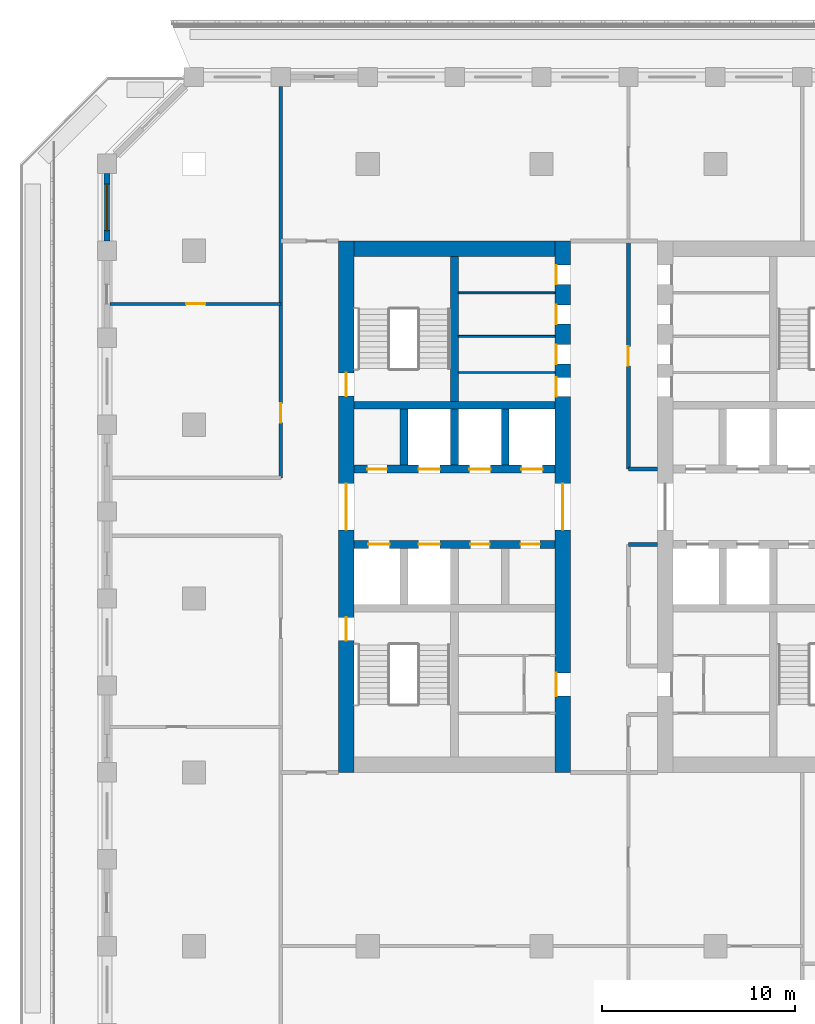
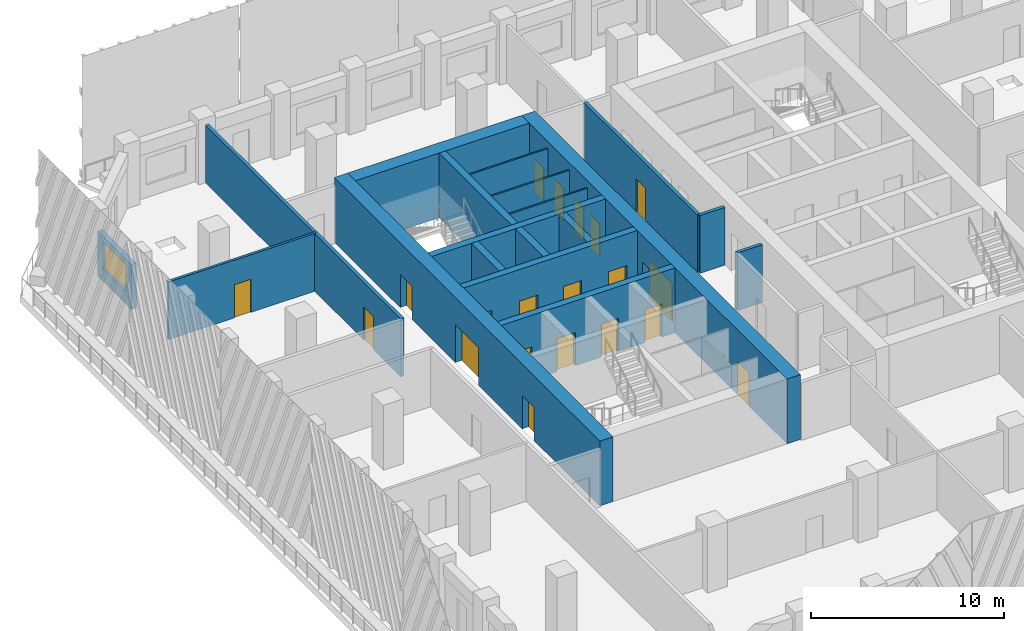
# One storey, part 5 of 16: 20 doors, 19 walls, 1 window, 21 openings.
"""IFC4 building model written with IfcOpenShell, lengths in metres."""

from ifc_helpers import new_model, si_unit, direction, frame, frame_2d, origin, place, context, subcontext, project, spatial, rectangle, extrude, material, layer, layer_set, type_object, element, fill, save


model = new_model("IFC4")

# Units and contexts
model_context = context("Model", 3, precision=1e-05, world=origin(), true_north=direction((0.0, 1.0)))
body_context = subcontext(model_context, "Body", "Model", "MODEL_VIEW")
ifc_project = project(units=[si_unit("LENGTHUNIT", "METRE"), si_unit("AREAUNIT", "SQUARE_METRE"), si_unit("VOLUMEUNIT", "CUBIC_METRE"), si_unit("PLANEANGLEUNIT", "RADIAN"), si_unit("MASSUNIT", "GRAM", prefix="KILO")], contexts=[model_context])

# Site, building, storey
site_placement = place(None, origin())
site = spatial("IfcSite", under=ifc_project, at=site_placement, CompositionType="ELEMENT")
building_placement = place(site_placement, origin())
building = spatial("IfcBuilding", under=site, at=building_placement, Name="Corbel Stack Research Tower", CompositionType="ELEMENT")
storey_placement = place(building_placement, frame((0.0, 0.0, 191.5)))
storey = spatial("IfcBuildingStorey", under=building, at=storey_placement, Name="L43", CompositionType="ELEMENT", Elevation=191.5)

# Wall, openings, doors
ifc_material_1 = material(Name="Concrete C60/75", Category="concrete")
ifc_layer_1 = layer(ifc_material_1, 0.39990234375)
ifc_layer_set_1 = layer_set([ifc_layer_1], Name="Concrete C60/75")
wall_type_1 = type_object("IfcWallType", Name="CW-400-60", PredefinedType="SHEAR", material=ifc_layer_set_1)
wall_1_placement = place(storey_placement, frame((-9.699951171875, 2.800048828125, 0.0), z_axis=(0.0, 0.0, 1.0), x_axis=(1.0, 0.0, 0.0)))
wall_1 = element("IfcWall", 1, at=wall_1_placement, inside=storey, type_object=wall_type_1, Name="West core wall, lobby south L43", PredefinedType="SHEAR", context=body_context, shape_type="SweptSolid", body=[
    extrude(rectangle(XDim=10.39990234375, YDim=0.39990234375, at=frame_2d((5.199951171875, 0.0))), origin(), (0.0, 0.0, 1.0), 4.10009765625),
])
opening_1_placement = place(wall_1_placement, frame((0.737548828125, 0.0, 0.0)))
opening_1 = element("IfcOpeningElement", 2, at=opening_1_placement, cuts=wall_1, Name="Opening LD-FS1", PredefinedType="OPENING", context=body_context, shape_type="SweptSolid", body=[
    extrude(rectangle(XDim=1.10009765625, YDim=2.10009765625, at=frame_2d((0.550048828125, 1.050048828125))), frame((0.0, 0.2099609375, 0.0), z_axis=(0.0, -1.0, 0.0), x_axis=(1.0, 0.0, 0.0)), (0.0, 0.0, 1.0), 0.419921875),
])
opening_2_placement = place(wall_1_placement, frame((3.33740234375, 0.0, 0.0)))
opening_2 = element("IfcOpeningElement", 3, at=opening_2_placement, cuts=wall_1, Name="Opening LD-GL1", PredefinedType="OPENING", context=body_context, shape_type="SweptSolid", body=[
    extrude(rectangle(XDim=1.10009765625, YDim=2.10009765625, at=frame_2d((0.550048828125, 1.050048828125))), frame((0.0, 0.2099609375, 0.0), z_axis=(0.0, -1.0, 0.0), x_axis=(1.0, 0.0, 0.0)), (0.0, 0.0, 1.0), 0.419921875),
])
opening_3_placement = place(wall_1_placement, frame((6.012451171875, 0.0, 0.0)))
opening_3 = element("IfcOpeningElement", 4, at=opening_3_placement, cuts=wall_1, Name="Opening CR-W36-S3", PredefinedType="OPENING", context=body_context, shape_type="SweptSolid", body=[
    extrude(rectangle(XDim=1.0, YDim=2.10009765625, at=frame_2d((0.5, 1.050048828125))), frame((0.0, 0.2099609375, 0.0), z_axis=(0.0, -1.0, 0.0), x_axis=(1.0, 0.0, 0.0)), (0.0, 0.0, 1.0), 0.419921875),
])
opening_4_placement = place(wall_1_placement, frame((8.612548828125, 0.0, 0.0)))
opening_4 = element("IfcOpeningElement", 5, at=opening_4_placement, cuts=wall_1, Name="Opening CR-W36-S4", PredefinedType="OPENING", context=body_context, shape_type="SweptSolid", body=[
    extrude(rectangle(XDim=1.0, YDim=2.10009765625, at=frame_2d((0.5, 1.050048828125))), frame((0.0, 0.2099609375, 0.0), z_axis=(0.0, -1.0, 0.0), x_axis=(1.0, 0.0, 0.0)), (0.0, 0.0, 1.0), 0.419921875),
])
ifc_material_2 = material(Name="Stainless steel landing door", Category="steel")
door_type_1 = type_object("IfcDoorType", Name="Lift landing door 1100 x 2100", OperationType="DOUBLE_DOOR_SLIDING", PredefinedType="DOOR", material=ifc_material_2)
door_1_placement = place(opening_1_placement, origin())
door_1 = element("IfcDoor", 6, at=door_1_placement, inside=storey, type_object=door_type_1, Name="Landing door FS1", OperationType="DOUBLE_DOOR_SLIDING", OverallHeight=2.10009765625, OverallWidth=1.10009765625, PredefinedType="DOOR", context=body_context, shape_type="SweptSolid", body=[
    extrude(rectangle(XDim=1.10009765625, YDim=2.10009765625, at=frame_2d((0.550048828125, 1.050048828125))), frame((0.0, 0.02490234375, 0.0), z_axis=(0.0, -1.0, 0.0), x_axis=(1.0, 0.0, 0.0)), (0.0, 0.0, 1.0), 0.050048828125),
])
fill(opening_1, door_1)
door_2_placement = place(opening_2_placement, origin())
door_2 = element("IfcDoor", 7, at=door_2_placement, inside=storey, type_object=door_type_1, Name="Landing door GL1", OperationType="DOUBLE_DOOR_SLIDING", OverallHeight=2.10009765625, OverallWidth=1.10009765625, PredefinedType="DOOR", context=body_context, shape_type="SweptSolid", body=[
    extrude(rectangle(XDim=1.10009765625, YDim=2.10009765625, at=frame_2d((0.550048828125, 1.050048828125))), frame((0.0, 0.02490234375, 0.0), z_axis=(0.0, -1.0, 0.0), x_axis=(1.0, 0.0, 0.0)), (0.0, 0.0, 1.0), 0.050048828125),
])
fill(opening_2, door_2)
ifc_material_3 = material(Name="Painted steel door", Category="steel")
door_type_2 = type_object("IfcDoorType", Name="Service door 1000 x 2100 FD60 left hand", OperationType="SINGLE_SWING_LEFT", PredefinedType="DOOR", material=ifc_material_3)
door_3_placement = place(opening_3_placement, origin())
door_3 = element("IfcDoor", 8, at=door_3_placement, inside=storey, type_object=door_type_2, Name="Records store door W core", OperationType="SINGLE_SWING_LEFT", OverallHeight=2.10009765625, OverallWidth=1.0, PredefinedType="DOOR", context=body_context, shape_type="SweptSolid", body=[
    extrude(rectangle(XDim=1.0, YDim=2.10009765625, at=frame_2d((0.5, 1.050048828125))), frame((0.0, 0.02490234375, 0.0), z_axis=(0.0, -1.0, 0.0), x_axis=(1.0, 0.0, 0.0)), (0.0, 0.0, 1.0), 0.050048828125),
])
fill(opening_3, door_3)
ifc_material_4 = material(Name="Painted steel door", Category="steel")
door_type_3 = type_object("IfcDoorType", Name="Service door 1000 x 2100 FD60 right hand", OperationType="SINGLE_SWING_RIGHT", PredefinedType="DOOR", material=ifc_material_4)
door_4_placement = place(opening_4_placement, origin())
door_4 = element("IfcDoor", 9, at=door_4_placement, inside=storey, type_object=door_type_3, Name="Electrical room door W core", OperationType="SINGLE_SWING_RIGHT", OverallHeight=2.10009765625, OverallWidth=1.0, PredefinedType="DOOR", context=body_context, shape_type="SweptSolid", body=[
    extrude(rectangle(XDim=1.0, YDim=2.10009765625, at=frame_2d((0.5, 1.050048828125))), frame((0.0, 0.02490234375, 0.0), z_axis=(0.0, -1.0, 0.0), x_axis=(1.0, 0.0, 0.0)), (0.0, 0.0, 1.0), 0.050048828125),
])
fill(opening_4, door_4)

wall_2_placement = place(storey_placement, frame((-9.699951171875, 6.699951171875, 0.0), z_axis=(0.0, 0.0, 1.0), x_axis=(1.0, 0.0, 0.0)))
wall_2 = element("IfcWall", 10, at=wall_2_placement, inside=storey, type_object=wall_type_1, Name="West core wall, lobby north L43", PredefinedType="SHEAR", context=body_context, shape_type="SweptSolid", body=[
    extrude(rectangle(XDim=10.39990234375, YDim=0.39990234375, at=frame_2d((5.199951171875, 0.0))), origin(), (0.0, 0.0, 1.0), 4.10009765625),
])
opening_5_placement = place(wall_2_placement, frame((3.33740234375, 0.0, 0.0)))
opening_5 = element("IfcOpeningElement", 11, at=opening_5_placement, cuts=wall_2, Name="Opening LD-HR1", PredefinedType="OPENING", context=body_context, shape_type="SweptSolid", body=[
    extrude(rectangle(XDim=1.10009765625, YDim=2.10009765625, at=frame_2d((0.550048828125, 1.050048828125))), frame((0.0, 0.2099609375, 0.0), z_axis=(0.0, -1.0, 0.0), x_axis=(1.0, 0.0, 0.0)), (0.0, 0.0, 1.0), 0.419921875),
])
opening_6_placement = place(wall_2_placement, frame((5.96240234375, 0.0, 0.0)))
opening_6 = element("IfcOpeningElement", 12, at=opening_6_placement, cuts=wall_2, Name="Opening LD-HR2", PredefinedType="OPENING", context=body_context, shape_type="SweptSolid", body=[
    extrude(rectangle(XDim=1.10009765625, YDim=2.10009765625, at=frame_2d((0.550048828125, 1.050048828125))), frame((0.0, 0.2099609375, 0.0), z_axis=(0.0, -1.0, 0.0), x_axis=(1.0, 0.0, 0.0)), (0.0, 0.0, 1.0), 0.419921875),
])
opening_7_placement = place(wall_2_placement, frame((8.66259765625, 0.0, 0.0)))
opening_7 = element("IfcOpeningElement", 13, at=opening_7_placement, cuts=wall_2, Name="Opening LD-HR3", PredefinedType="OPENING", context=body_context, shape_type="SweptSolid", body=[
    extrude(rectangle(XDim=1.10009765625, YDim=2.10009765625, at=frame_2d((0.550048828125, 1.050048828125))), frame((0.0, 0.2099609375, 0.0), z_axis=(0.0, -1.0, 0.0), x_axis=(1.0, 0.0, 0.0)), (0.0, 0.0, 1.0), 0.419921875),
])
opening_8_placement = place(wall_2_placement, frame((0.6875, 0.0, 0.0)))
opening_8 = element("IfcOpeningElement", 14, at=opening_8_placement, cuts=wall_2, Name="Opening CR-W36-N1", PredefinedType="OPENING", context=body_context, shape_type="SweptSolid", body=[
    extrude(rectangle(XDim=1.0, YDim=2.10009765625, at=frame_2d((0.5, 1.050048828125))), frame((0.0, 0.2099609375, 0.0), z_axis=(0.0, -1.0, 0.0), x_axis=(1.0, 0.0, 0.0)), (0.0, 0.0, 1.0), 0.419921875),
])
door_5_placement = place(opening_5_placement, origin())
door_5 = element("IfcDoor", 15, at=door_5_placement, inside=storey, type_object=door_type_1, Name="Landing door HR1", OperationType="DOUBLE_DOOR_SLIDING", OverallHeight=2.10009765625, OverallWidth=1.10009765625, PredefinedType="DOOR", context=body_context, shape_type="SweptSolid", body=[
    extrude(rectangle(XDim=1.10009765625, YDim=2.10009765625, at=frame_2d((0.550048828125, 1.050048828125))), frame((0.0, 0.02490234375, 0.0), z_axis=(0.0, -1.0, 0.0), x_axis=(1.0, 0.0, 0.0)), (0.0, 0.0, 1.0), 0.050048828125),
])
fill(opening_5, door_5)
door_6_placement = place(opening_6_placement, origin())
door_6 = element("IfcDoor", 16, at=door_6_placement, inside=storey, type_object=door_type_1, Name="Landing door HR2", OperationType="DOUBLE_DOOR_SLIDING", OverallHeight=2.10009765625, OverallWidth=1.10009765625, PredefinedType="DOOR", context=body_context, shape_type="SweptSolid", body=[
    extrude(rectangle(XDim=1.10009765625, YDim=2.10009765625, at=frame_2d((0.550048828125, 1.050048828125))), frame((0.0, 0.02490234375, 0.0), z_axis=(0.0, -1.0, 0.0), x_axis=(1.0, 0.0, 0.0)), (0.0, 0.0, 1.0), 0.050048828125),
])
fill(opening_6, door_6)
door_7_placement = place(opening_7_placement, origin())
door_7 = element("IfcDoor", 17, at=door_7_placement, inside=storey, type_object=door_type_1, Name="Landing door HR3", OperationType="DOUBLE_DOOR_SLIDING", OverallHeight=2.10009765625, OverallWidth=1.10009765625, PredefinedType="DOOR", context=body_context, shape_type="SweptSolid", body=[
    extrude(rectangle(XDim=1.10009765625, YDim=2.10009765625, at=frame_2d((0.550048828125, 1.050048828125))), frame((0.0, 0.02490234375, 0.0), z_axis=(0.0, -1.0, 0.0), x_axis=(1.0, 0.0, 0.0)), (0.0, 0.0, 1.0), 0.050048828125),
])
fill(opening_7, door_7)
door_8_placement = place(opening_8_placement, origin())
door_8 = element("IfcDoor", 18, at=door_8_placement, inside=storey, type_object=door_type_2, Name="Pantry door W core", OperationType="SINGLE_SWING_LEFT", OverallHeight=2.10009765625, OverallWidth=1.0, PredefinedType="DOOR", context=body_context, shape_type="SweptSolid", body=[
    extrude(rectangle(XDim=1.0, YDim=2.10009765625, at=frame_2d((0.5, 1.050048828125))), frame((0.0, 0.02490234375, 0.0), z_axis=(0.0, -1.0, 0.0), x_axis=(1.0, 0.0, 0.0)), (0.0, 0.0, 1.0), 0.050048828125),
])
fill(opening_8, door_8)

# Walls
wall_3_placement = place(storey_placement, frame((-9.699951171875, 10.0, 0.0), z_axis=(0.0, 0.0, 1.0), x_axis=(1.0, 0.0, 0.0)))
element("IfcWall", 19, at=wall_3_placement, inside=storey, type_object=wall_type_1, Name="West core wall, north row back L43", PredefinedType="SHEAR", context=body_context, shape_type="SweptSolid", body=[
    extrude(rectangle(XDim=10.39990234375, YDim=0.39990234375, at=frame_2d((5.199951171875, 0.0))), origin(), (0.0, 0.0, 1.0), 4.10009765625),
])
for number, where, z_axis, x_axis, name in (
    (20, (-7.125, 6.89990234375, 0.0), (0.0, 0.0, 1.0), (0.0, 1.0, 0.0), "West core wall, north shaft 1 L43"),
    (21, (-4.5, 6.89990234375, 0.0), (0.0, 0.0, 1.0), (0.0, 1.0, 0.0), "West core wall, north shaft 2 L43"),
    (22, (-1.875, 6.89990234375, 0.0), (0.0, 0.0, 1.0), (0.0, 1.0, 0.0), "West core wall, north shaft 3 L43"),
):
    element("IfcWall", number, at=place(storey_placement, frame(where, z_axis=z_axis, x_axis=x_axis)), inside=storey, type_object=wall_type_1, Name=name, PredefinedType="SHEAR", context=body_context, shape_type="SweptSolid", body=[
        extrude(rectangle(XDim=2.900146484375, YDim=0.39990234375, at=frame_2d((1.4501953125, 0.0))), origin(), (0.0, 0.0, 1.0), 4.10009765625),
    ])
wall_4_placement = place(storey_placement, frame((-4.5, 10.199951171875, 0.0), z_axis=(0.0, 0.0, 1.0), x_axis=(0.0, 1.0, 0.0)))
element("IfcWall", 23, at=wall_4_placement, inside=storey, type_object=wall_type_1, Name="West core wall, north stair and riser L43", PredefinedType="SHEAR", context=body_context, shape_type="SweptSolid", body=[
    extrude(rectangle(XDim=7.5, YDim=0.39990234375, at=frame_2d((3.75, 0.0))), origin(), (0.0, 0.0, 1.0), 4.10009765625),
])

# Wall, openings, doors
ifc_material_5 = material(Name="Concrete C60/75", Category="concrete")
ifc_layer_2 = layer(ifc_material_5, 0.800048828125)
ifc_layer_set_2 = layer_set([ifc_layer_2], Name="Concrete C60/75")
wall_type_2 = type_object("IfcWallType", Name="CW-800-60", PredefinedType="SHEAR", material=ifc_layer_set_2)
wall_5_placement = place(storey_placement, frame((-10.10009765625, -9.0, 0.0), z_axis=(0.0, 0.0, 1.0), x_axis=(0.0, 1.0, 0.0)))
wall_5 = element("IfcWall", 24, at=wall_5_placement, inside=storey, type_object=wall_type_2, Name="West core wall, west face L43", PredefinedType="SHEAR", context=body_context, shape_type="SweptSolid", body=[
    extrude(rectangle(XDim=27.5, YDim=0.800048828125, at=frame_2d((13.75, 0.0))), origin(), (0.0, 0.0, 1.0), 4.10009765625),
])
opening_9_placement = place(wall_5_placement, frame((12.550048828125, 0.0, 0.0)))
opening_9 = element("IfcOpeningElement", 25, at=opening_9_placement, cuts=wall_5, Name="Opening CD-W-W", PredefinedType="OPENING", context=body_context, shape_type="SweptSolid", body=[
    extrude(rectangle(XDim=2.39990234375, YDim=2.39990234375, at=frame_2d((1.199951171875, 1.199951171875))), frame((0.0, 0.409912109375, 0.0), z_axis=(0.0, -1.0, 0.0), x_axis=(1.0, 0.0, 0.0)), (0.0, 0.0, 1.0), 0.820068359375),
])
opening_10_placement = place(wall_5_placement, frame((6.824951171875, 0.0, 0.0)))
opening_10 = element("IfcOpeningElement", 26, at=opening_10_placement, cuts=wall_5, Name="Opening SD-ST-W1", PredefinedType="OPENING", context=body_context, shape_type="SweptSolid", body=[
    extrude(rectangle(XDim=1.199951171875, YDim=2.10009765625, at=frame_2d((0.60009765625, 1.050048828125))), frame((0.0, 0.409912109375, 0.0), z_axis=(0.0, -1.0, 0.0), x_axis=(1.0, 0.0, 0.0)), (0.0, 0.0, 1.0), 0.820068359375),
])
opening_11_placement = place(wall_5_placement, frame((19.47509765625, 0.0, 0.0)))
opening_11 = element("IfcOpeningElement", 27, at=opening_11_placement, cuts=wall_5, Name="Opening SD-ST-W2", PredefinedType="OPENING", context=body_context, shape_type="SweptSolid", body=[
    extrude(rectangle(XDim=1.199951171875, YDim=2.10009765625, at=frame_2d((0.60009765625, 1.050048828125))), frame((0.0, 0.409912109375, 0.0), z_axis=(0.0, -1.0, 0.0), x_axis=(1.0, 0.0, 0.0)), (0.0, 0.0, 1.0), 0.820068359375),
])
ifc_material_6 = material(Name="Painted steel fire door", Category="steel")
door_type_4 = type_object("IfcDoorType", Name="Lobby door pair 2400 x 2400 FD30S", OperationType="DOUBLE_DOOR_DOUBLE_SWING", PredefinedType="DOOR", material=ifc_material_6)
door_9_placement = place(opening_9_placement, origin())
door_9 = element("IfcDoor", 28, at=door_9_placement, inside=storey, type_object=door_type_4, Name="Lift lobby door W core W", OperationType="DOUBLE_DOOR_DOUBLE_SWING", OverallHeight=2.39990234375, OverallWidth=2.39990234375, PredefinedType="DOOR", context=body_context, shape_type="SweptSolid", body=[
    extrude(rectangle(XDim=2.39990234375, YDim=2.39990234375, at=frame_2d((1.199951171875, 1.199951171875))), frame((0.0, 0.02490234375, 0.0), z_axis=(0.0, -1.0, 0.0), x_axis=(1.0, 0.0, 0.0)), (0.0, 0.0, 1.0), 0.050048828125),
])
fill(opening_9, door_9)
ifc_material_7 = material(Name="Painted steel fire door", Category="steel")
door_type_5 = type_object("IfcDoorType", Name="Stair door 1200 x 2100 FD90 left hand", OperationType="SINGLE_SWING_LEFT", PredefinedType="DOOR", material=ifc_material_7)
door_10_placement = place(opening_10_placement, origin())
door_10 = element("IfcDoor", 29, at=door_10_placement, inside=storey, type_object=door_type_5, Name="Stair door ST-W1", OperationType="SINGLE_SWING_LEFT", OverallHeight=2.10009765625, OverallWidth=1.199951171875, PredefinedType="DOOR", context=body_context, shape_type="SweptSolid", body=[
    extrude(rectangle(XDim=1.199951171875, YDim=2.10009765625, at=frame_2d((0.60009765625, 1.050048828125))), frame((0.0, 0.02490234375, 0.0), z_axis=(0.0, -1.0, 0.0), x_axis=(1.0, 0.0, 0.0)), (0.0, 0.0, 1.0), 0.050048828125),
])
fill(opening_10, door_10)
door_11_placement = place(opening_11_placement, origin())
door_11 = element("IfcDoor", 30, at=door_11_placement, inside=storey, type_object=door_type_5, Name="Stair door ST-W2", OperationType="SINGLE_SWING_LEFT", OverallHeight=2.10009765625, OverallWidth=1.199951171875, PredefinedType="DOOR", context=body_context, shape_type="SweptSolid", body=[
    extrude(rectangle(XDim=1.199951171875, YDim=2.10009765625, at=frame_2d((0.60009765625, 1.050048828125))), frame((0.0, 0.02490234375, 0.0), z_axis=(0.0, -1.0, 0.0), x_axis=(1.0, 0.0, 0.0)), (0.0, 0.0, 1.0), 0.050048828125),
])
fill(opening_11, door_11)

wall_6_placement = place(storey_placement, frame((1.10009765625, -9.0, 0.0), z_axis=(0.0, 0.0, 1.0), x_axis=(0.0, 1.0, 0.0)))
wall_6 = element("IfcWall", 31, at=wall_6_placement, inside=storey, type_object=wall_type_2, Name="West core wall, east face L43", PredefinedType="SHEAR", context=body_context, shape_type="SweptSolid", body=[
    extrude(rectangle(XDim=27.5, YDim=0.800048828125, at=frame_2d((13.75, 0.0))), origin(), (0.0, 0.0, 1.0), 4.10009765625),
])
opening_12_placement = place(wall_6_placement, frame((12.550048828125, 0.0, 0.0)))
opening_12 = element("IfcOpeningElement", 32, at=opening_12_placement, cuts=wall_6, Name="Opening CD-W-E", PredefinedType="OPENING", context=body_context, shape_type="SweptSolid", body=[
    extrude(rectangle(XDim=2.39990234375, YDim=2.39990234375, at=frame_2d((1.199951171875, 1.199951171875))), frame((0.0, 0.409912109375, 0.0), z_axis=(0.0, -1.0, 0.0), x_axis=(1.0, 0.0, 0.0)), (0.0, 0.0, 1.0), 0.820068359375),
])
opening_13_placement = place(wall_6_placement, frame((3.949951171875, 0.0, 0.0)))
opening_13 = element("IfcOpeningElement", 33, at=opening_13_placement, cuts=wall_6, Name="Opening CR-W36-W1-1200", PredefinedType="OPENING", context=body_context, shape_type="SweptSolid", body=[
    extrude(rectangle(XDim=1.199951171875, YDim=2.10009765625, at=frame_2d((0.60009765625, 1.050048828125))), frame((0.0, 0.409912109375, 0.0), z_axis=(0.0, -1.0, 0.0), x_axis=(1.0, 0.0, 0.0)), (0.0, 0.0, 1.0), 0.820068359375),
])
opening_14_placement = place(wall_6_placement, frame((19.449951171875, 0.0, 0.0)))
opening_14 = element("IfcOpeningElement", 34, at=opening_14_placement, cuts=wall_6, Name="Opening CR-W36-R1-1000", PredefinedType="OPENING", context=body_context, shape_type="SweptSolid", body=[
    extrude(rectangle(XDim=1.0, YDim=2.10009765625, at=frame_2d((0.5, 1.050048828125))), frame((0.0, 0.409912109375, 0.0), z_axis=(0.0, -1.0, 0.0), x_axis=(1.0, 0.0, 0.0)), (0.0, 0.0, 1.0), 0.820068359375),
])
opening_15_placement = place(wall_6_placement, frame((21.137451171875, 0.0, 0.0)))
opening_15 = element("IfcOpeningElement", 35, at=opening_15_placement, cuts=wall_6, Name="Opening CR-W36-R2-1000", PredefinedType="OPENING", context=body_context, shape_type="SweptSolid", body=[
    extrude(rectangle(XDim=1.0, YDim=2.10009765625, at=frame_2d((0.5, 1.050048828125))), frame((0.0, 0.409912109375, 0.0), z_axis=(0.0, -1.0, 0.0), x_axis=(1.0, 0.0, 0.0)), (0.0, 0.0, 1.0), 0.820068359375),
])
opening_16_placement = place(wall_6_placement, frame((23.199951171875, 0.0, 0.0)))
opening_16 = element("IfcOpeningElement", 36, at=opening_16_placement, cuts=wall_6, Name="Opening CR-W36-R3-1000", PredefinedType="OPENING", context=body_context, shape_type="SweptSolid", body=[
    extrude(rectangle(XDim=1.0, YDim=2.10009765625, at=frame_2d((0.5, 1.050048828125))), frame((0.0, 0.409912109375, 0.0), z_axis=(0.0, -1.0, 0.0), x_axis=(1.0, 0.0, 0.0)), (0.0, 0.0, 1.0), 0.820068359375),
])
opening_17_placement = place(wall_6_placement, frame((25.262451171875, 0.0, 0.0)))
opening_17 = element("IfcOpeningElement", 37, at=opening_17_placement, cuts=wall_6, Name="Opening CR-W36-R4-1000", PredefinedType="OPENING", context=body_context, shape_type="SweptSolid", body=[
    extrude(rectangle(XDim=1.0, YDim=2.10009765625, at=frame_2d((0.5, 1.050048828125))), frame((0.0, 0.409912109375, 0.0), z_axis=(0.0, -1.0, 0.0), x_axis=(1.0, 0.0, 0.0)), (0.0, 0.0, 1.0), 0.820068359375),
])
door_12_placement = place(opening_12_placement, origin())
door_12 = element("IfcDoor", 38, at=door_12_placement, inside=storey, type_object=door_type_4, Name="Lift lobby door W core E", OperationType="DOUBLE_DOOR_DOUBLE_SWING", OverallHeight=2.39990234375, OverallWidth=2.39990234375, PredefinedType="DOOR", context=body_context, shape_type="SweptSolid", body=[
    extrude(rectangle(XDim=2.39990234375, YDim=2.39990234375, at=frame_2d((1.199951171875, 1.199951171875))), frame((0.0, 0.02490234375, 0.0), z_axis=(0.0, -1.0, 0.0), x_axis=(1.0, 0.0, 0.0)), (0.0, 0.0, 1.0), 0.050048828125),
])
fill(opening_12, door_12)
ifc_material_8 = material(Name="Painted steel door", Category="steel")
door_type_6 = type_object("IfcDoorType", Name="Riser door 1000 x 2100 FD60 left hand", OperationType="SINGLE_SWING_LEFT", PredefinedType="DOOR", material=ifc_material_8)
door_13_placement = place(opening_14_placement, origin())
door_13 = element("IfcDoor", 39, at=door_13_placement, inside=storey, type_object=door_type_6, Name="Electrical riser door W core", OperationType="SINGLE_SWING_LEFT", OverallHeight=2.10009765625, OverallWidth=1.0, PredefinedType="DOOR", context=body_context, shape_type="SweptSolid", body=[
    extrude(rectangle(XDim=1.0, YDim=2.10009765625, at=frame_2d((0.5, 1.050048828125))), frame((0.0, 0.375, 0.0), z_axis=(0.0, -1.0, 0.0), x_axis=(1.0, 0.0, 0.0)), (0.0, 0.0, 1.0), 0.050048828125),
])
fill(opening_14, door_13)
ifc_material_9 = material(Name="Painted steel door", Category="steel")
door_type_7 = type_object("IfcDoorType", Name="Riser door 1000 x 2100 FD60 right hand", OperationType="SINGLE_SWING_RIGHT", PredefinedType="DOOR", material=ifc_material_9)
door_14_placement = place(opening_15_placement, origin())
door_14 = element("IfcDoor", 40, at=door_14_placement, inside=storey, type_object=door_type_7, Name="Telecom room door W core", OperationType="SINGLE_SWING_RIGHT", OverallHeight=2.10009765625, OverallWidth=1.0, PredefinedType="DOOR", context=body_context, shape_type="SweptSolid", body=[
    extrude(rectangle(XDim=1.0, YDim=2.10009765625, at=frame_2d((0.5, 1.050048828125))), frame((0.0, 0.375, 0.0), z_axis=(0.0, -1.0, 0.0), x_axis=(1.0, 0.0, 0.0)), (0.0, 0.0, 1.0), 0.050048828125),
])
fill(opening_15, door_14)
ifc_material_10 = material(Name="Painted steel door", Category="steel")
door_type_8 = type_object("IfcDoorType", Name="Service door 1000 x 2100 FD30 left hand", OperationType="SINGLE_SWING_LEFT", PredefinedType="DOOR", material=ifc_material_10)
door_15_placement = place(opening_16_placement, origin())
door_15 = element("IfcDoor", 41, at=door_15_placement, inside=storey, type_object=door_type_8, Name="Pantry door W core", OperationType="SINGLE_SWING_LEFT", OverallHeight=2.10009765625, OverallWidth=1.0, PredefinedType="DOOR", context=body_context, shape_type="SweptSolid", body=[
    extrude(rectangle(XDim=1.0, YDim=2.10009765625, at=frame_2d((0.5, 1.050048828125))), frame((0.0, 0.375, 0.0), z_axis=(0.0, -1.0, 0.0), x_axis=(1.0, 0.0, 0.0)), (0.0, 0.0, 1.0), 0.050048828125),
])
fill(opening_16, door_15)
ifc_material_11 = material(Name="Painted steel door", Category="steel")
door_type_9 = type_object("IfcDoorType", Name="Service door 1000 x 2100 FD30 right hand", OperationType="SINGLE_SWING_RIGHT", PredefinedType="DOOR", material=ifc_material_11)
door_16_placement = place(opening_17_placement, origin())
door_16 = element("IfcDoor", 42, at=door_16_placement, inside=storey, type_object=door_type_9, Name="Cleaner's store door W core", OperationType="SINGLE_SWING_RIGHT", OverallHeight=2.10009765625, OverallWidth=1.0, PredefinedType="DOOR", context=body_context, shape_type="SweptSolid", body=[
    extrude(rectangle(XDim=1.0, YDim=2.10009765625, at=frame_2d((0.5, 1.050048828125))), frame((0.0, 0.375, 0.0), z_axis=(0.0, -1.0, 0.0), x_axis=(1.0, 0.0, 0.0)), (0.0, 0.0, 1.0), 0.050048828125),
])
fill(opening_17, door_16)
ifc_material_12 = material(Name="Painted timber door", Category="wood")
door_type_10 = type_object("IfcDoorType", Name="WC door 1200 x 2100 left hand", OperationType="SINGLE_SWING_LEFT", PredefinedType="DOOR", material=ifc_material_12)
door_17_placement = place(opening_13_placement, origin())
door_17 = element("IfcDoor", 43, at=door_17_placement, inside=storey, type_object=door_type_10, Name="WC lobby door W core", OperationType="SINGLE_SWING_LEFT", OverallHeight=2.10009765625, OverallWidth=1.199951171875, PredefinedType="DOOR", context=body_context, shape_type="SweptSolid", body=[
    extrude(rectangle(XDim=1.199951171875, YDim=2.10009765625, at=frame_2d((0.60009765625, 1.050048828125))), frame((0.0, 0.375, 0.0), z_axis=(0.0, -1.0, 0.0), x_axis=(1.0, 0.0, 0.0)), (0.0, 0.0, 1.0), 0.050048828125),
])
fill(opening_13, door_17)

# Walls
wall_7_placement = place(storey_placement, frame((-9.699951171875, 18.10009765625, 0.0), z_axis=(0.0, 0.0, 1.0), x_axis=(1.0, 0.0, 0.0)))
element("IfcWall", 44, at=wall_7_placement, inside=storey, type_object=wall_type_2, Name="West core wall, north end L43", PredefinedType="SHEAR", context=body_context, shape_type="SweptSolid", body=[
    extrude(rectangle(XDim=10.39990234375, YDim=0.800048828125, at=frame_2d((5.199951171875, 0.0))), origin(), (0.0, 0.0, 1.0), 4.10009765625),
])
ifc_material_13 = material(Name="Gypsum board")
ifc_layer_3 = layer(ifc_material_13, 0.10009765625)
ifc_layer_set_3 = layer_set([ifc_layer_3], Name="Gypsum board")
wall_type_3 = type_object("IfcWallType", Name="Core partition 100", PredefinedType="PARTITIONING", material=ifc_layer_set_3)
for number, where, z_axis, x_axis, name in (
    (45, (-4.300048828125, 11.699951171875, 0.0), (0.0, 0.0, 1.0), (1.0, 0.0, 0.0), "Core partition W"),
    (46, (-4.300048828125, 13.574951171875, 0.0), (0.0, 0.0, 1.0), (1.0, 0.0, 0.0), "Core partition W"),
    (47, (-4.300048828125, 15.824951171875, 0.0), (0.0, 0.0, 1.0), (1.0, 0.0, 0.0), "Core partition W"),
):
    element("IfcWall", number, at=place(storey_placement, frame(where, z_axis=z_axis, x_axis=x_axis)), inside=storey, type_object=wall_type_3, Name=name, PredefinedType="PARTITIONING", context=body_context, shape_type="SweptSolid", body=[
        extrude(rectangle(XDim=5.0, YDim=0.10009765625, at=frame_2d((2.5, 0.0))), origin(), (0.0, 0.0, 1.0), 3.64990234375),
    ])

# Wall, opening, door
ifc_material_14 = material(Name="Fire-rated gypsum board partition on steel studs", Category="steel")
ifc_layer_4 = layer(ifc_material_14, 0.199951171875)
ifc_layer_set_4 = layer_set([ifc_layer_4], Name="Fire-rated gypsum board partition on steel studs")
wall_type_4 = type_object("IfcWallType", Name="Fire-rated partition 200 EI 60", PredefinedType="PARTITIONING", material=ifc_layer_set_4)
wall_8_placement = place(storey_placement, frame((-13.5, 6.25, 0.0), z_axis=(0.0, 0.0, 1.0), x_axis=(0.0, 1.0, 0.0)))
wall_8 = element("IfcWall", 48, at=wall_8_placement, inside=storey, type_object=wall_type_4, Name="Partition L43-002", PredefinedType="PARTITIONING", context=body_context, shape_type="SweptSolid", body=[
    extrude(rectangle(XDim=20.25, YDim=0.199951171875, at=frame_2d((10.125, 0.0))), origin(), (0.0, 0.0, 1.0), 3.64990234375),
])
opening_18_placement = place(wall_8_placement, frame((2.85009765625, 0.0, 0.0)))
opening_18 = element("IfcOpeningElement", 49, at=opening_18_placement, cuts=wall_8, Name="Opening B6V0H-005", PredefinedType="OPENING", context=body_context, shape_type="SweptSolid", body=[
    extrude(rectangle(XDim=1.0, YDim=2.10009765625, at=frame_2d((0.5, 1.050048828125))), frame((0.0, 0.10986328125, 0.0), z_axis=(0.0, -1.0, 0.0), x_axis=(1.0, 0.0, 0.0)), (0.0, 0.0, 1.0), 0.219970703125),
])
ifc_material_15 = material(Name="Painted steel fire door", Category="steel")
door_type_11 = type_object("IfcDoorType", Name="Fire door FD30S 1000 x 2100", OperationType="NOTDEFINED", PredefinedType="DOOR", material=ifc_material_15)
door_18_placement = place(opening_18_placement, origin())
door_18 = element("IfcDoor", 50, at=door_18_placement, inside=storey, type_object=door_type_11, Name="Door B6V0H-005", OperationType="SINGLE_SWING_LEFT", OverallHeight=2.10009765625, OverallWidth=1.0, PredefinedType="DOOR", context=body_context, shape_type="SweptSolid", body=[
    extrude(rectangle(XDim=1.0, YDim=2.10009765625, at=frame_2d((0.5, 1.050048828125))), frame((0.0, 0.02490234375, 0.0), z_axis=(0.0, -1.0, 0.0), x_axis=(1.0, 0.0, 0.0)), (0.0, 0.0, 1.0), 0.050048828125),
])
fill(opening_18, door_18)

wall_9_placement = place(storey_placement, frame((4.5, 18.5, 0.0), z_axis=(0.0, 0.0, 1.0), x_axis=(0.0, -1.0, 0.0)))
wall_9 = element("IfcWall", 51, at=wall_9_placement, inside=storey, type_object=wall_type_4, Name="Partition L43-007", PredefinedType="PARTITIONING", context=body_context, shape_type="SweptSolid", body=[
    extrude(rectangle(XDim=11.800048828125, YDim=0.199951171875, at=frame_2d((5.89990234375, 0.0))), origin(), (0.0, 0.0, 1.0), 3.64990234375),
])
opening_19_placement = place(wall_9_placement, frame((5.449951171875, 0.0, 0.0)))
opening_19 = element("IfcOpeningElement", 52, at=opening_19_placement, cuts=wall_9, Name="Opening B6V0H-013", PredefinedType="OPENING", context=body_context, shape_type="SweptSolid", body=[
    extrude(rectangle(XDim=1.0, YDim=2.10009765625, at=frame_2d((0.5, 1.050048828125))), frame((0.0, 0.10986328125, 0.0), z_axis=(0.0, -1.0, 0.0), x_axis=(1.0, 0.0, 0.0)), (0.0, 0.0, 1.0), 0.219970703125),
])
door_19_placement = place(opening_19_placement, origin())
door_19 = element("IfcDoor", 53, at=door_19_placement, inside=storey, type_object=door_type_11, Name="Door B6V0H-013", OperationType="SINGLE_SWING_RIGHT", OverallHeight=2.10009765625, OverallWidth=1.0, PredefinedType="DOOR", context=body_context, shape_type="SweptSolid", body=[
    extrude(rectangle(XDim=1.0, YDim=2.10009765625, at=frame_2d((0.5, 1.050048828125))), frame((0.0, 0.02490234375, 0.0), z_axis=(0.0, -1.0, 0.0), x_axis=(1.0, 0.0, 0.0)), (0.0, 0.0, 1.0), 0.050048828125),
])
fill(opening_19, door_19)

# Walls
for number, where, z_axis, x_axis, name in (
    (54, (4.5, 2.800048828125, 0.0), (0.0, 0.0, 1.0), (1.0, 0.0, 0.0), "Partition L43-026"),
    (55, (4.5, 6.699951171875, 0.0), (0.0, 0.0, 1.0), (1.0, 0.0, 0.0), "Partition L43-031"),
):
    element("IfcWall", number, at=place(storey_placement, frame(where, z_axis=z_axis, x_axis=x_axis)), inside=storey, type_object=wall_type_4, Name=name, PredefinedType="PARTITIONING", context=body_context, shape_type="SweptSolid", body=[
        extrude(rectangle(XDim=1.5, YDim=0.199951171875, at=frame_2d((0.75, 0.0))), origin(), (0.0, 0.0, 1.0), 3.64990234375),
    ])

# Wall, opening, door
ifc_material_16 = material(Name="Gypsum board partition on steel studs", Category="steel")
ifc_layer_5 = layer(ifc_material_16, 0.14990234375)
ifc_layer_set_5 = layer_set([ifc_layer_5], Name="Gypsum board partition on steel studs")
wall_type_5 = type_object("IfcWallType", Name="Partition 150", PredefinedType="PARTITIONING", material=ifc_layer_set_5)
wall_10_placement = place(storey_placement, frame((-22.35009765625, 15.25, 0.0), z_axis=(0.0, 0.0, 1.0), x_axis=(1.0, 0.0, 0.0)))
wall_10 = element("IfcWall", 56, at=wall_10_placement, inside=storey, type_object=wall_type_5, Name="Partition L43-032", PredefinedType="PARTITIONING", context=body_context, shape_type="SweptSolid", body=[
    extrude(rectangle(XDim=8.85009765625, YDim=0.14990234375, at=frame_2d((4.425048828125, 0.0))), origin(), (0.0, 0.0, 1.0), 3.64990234375),
])
opening_20_placement = place(wall_10_placement, frame((3.949951171875, 0.0, 0.0)))
opening_20 = element("IfcOpeningElement", 57, at=opening_20_placement, cuts=wall_10, Name="Opening B6V0H-016", PredefinedType="OPENING", context=body_context, shape_type="SweptSolid", body=[
    extrude(rectangle(XDim=1.0, YDim=2.10009765625, at=frame_2d((0.5, 1.050048828125))), frame((0.0, 0.0849609375, 0.0), z_axis=(0.0, -1.0, 0.0), x_axis=(1.0, 0.0, 0.0)), (0.0, 0.0, 1.0), 0.169921875),
])
ifc_material_17 = material(Name="Painted timber door", Category="wood")
door_type_12 = type_object("IfcDoorType", Name="Single door 1000 x 2100", OperationType="NOTDEFINED", PredefinedType="DOOR", material=ifc_material_17)
door_20_placement = place(opening_20_placement, origin())
door_20 = element("IfcDoor", 58, at=door_20_placement, inside=storey, type_object=door_type_12, Name="Door B6V0H-016", OperationType="SINGLE_SWING_LEFT", OverallHeight=2.10009765625, OverallWidth=1.0, PredefinedType="DOOR", context=body_context, shape_type="SweptSolid", body=[
    extrude(rectangle(XDim=1.0, YDim=2.10009765625, at=frame_2d((0.5, 1.050048828125))), frame((0.0, 0.02490234375, 0.0), z_axis=(0.0, -1.0, 0.0), x_axis=(1.0, 0.0, 0.0)), (0.0, 0.0, 1.0), 0.050048828125),
])
fill(opening_20, door_20)

# Wall, opening, window
ifc_material_18 = material(Name="Concrete C45/55", Category="concrete")
ifc_layer_6 = layer(ifc_material_18, 0.300048828125)
ifc_layer_set_6 = layer_set([ifc_layer_6], Name="Concrete C45/55")
wall_type_6 = type_object("IfcWallType", Name="Terracotta-faced concrete wall 300", PredefinedType="SOLIDWALL", material=ifc_layer_set_6)
wall_11_placement = place(storey_placement, frame((-22.5, 18.5, 0.0), z_axis=(0.0, 0.0, 1.0), x_axis=(0.0, 1.0, 0.0)))
wall_11 = element("IfcWall", 59, at=wall_11_placement, inside=storey, type_object=wall_type_6, Name="Facade wall L43 W01", PredefinedType="SOLIDWALL", context=body_context, shape_type="SweptSolid", body=[
    extrude(rectangle(XDim=3.5, YDim=0.300048828125, at=frame_2d((1.75, 0.0))), origin(), (0.0, 0.0, 1.0), 2.85009765625),
])
opening_21_placement = place(wall_11_placement, frame((0.550048828125, 0.0, 0.800048828125)))
opening_21 = element("IfcOpeningElement", 60, at=opening_21_placement, cuts=wall_11, Name="Opening W1", PredefinedType="OPENING", context=body_context, shape_type="SweptSolid", body=[
    extrude(rectangle(XDim=2.39990234375, YDim=1.699951171875, at=frame_2d((1.199951171875, 0.85009765625))), frame((0.0, 0.159912109375, 0.0), z_axis=(0.0, -1.0, 0.0), x_axis=(1.0, 0.0, 0.0)), (0.0, 0.0, 1.0), 0.320068359375),
])
ifc_material_19 = material(Name="Aluminium frame, clear double glazing", Category="aluminium")
window_type = type_object("IfcWindowType", Name="Window W1 2400 x 1700", PartitioningType="SINGLE_PANEL", PredefinedType="WINDOW", material=ifc_material_19)
window_placement = place(opening_21_placement, origin())
window = element("IfcWindow", 61, at=window_placement, inside=storey, type_object=window_type, Name="Window W1 L43 W01", OverallHeight=1.699951171875, OverallWidth=2.39990234375, PartitioningType="SINGLE_PANEL", PredefinedType="WINDOW", context=body_context, shape_type="SweptSolid", body=[
    extrude(rectangle(XDim=2.39990234375, YDim=1.699951171875, at=frame_2d((1.199951171875, 0.85009765625))), frame((0.0, 0.030029296875, 0.0), z_axis=(0.0, -1.0, 0.0), x_axis=(1.0, 0.0, 0.0)), (0.0, 0.0, 1.0), 0.06005859375),
])
fill(opening_21, window)

save(model, "model.ifc")
